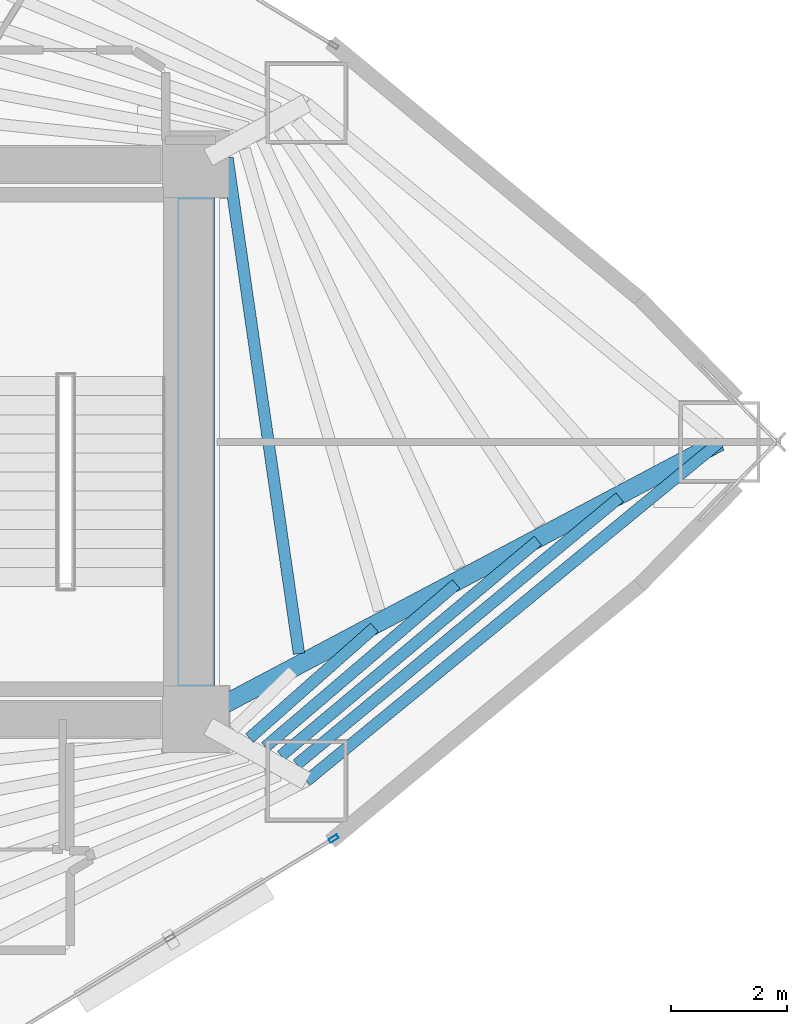
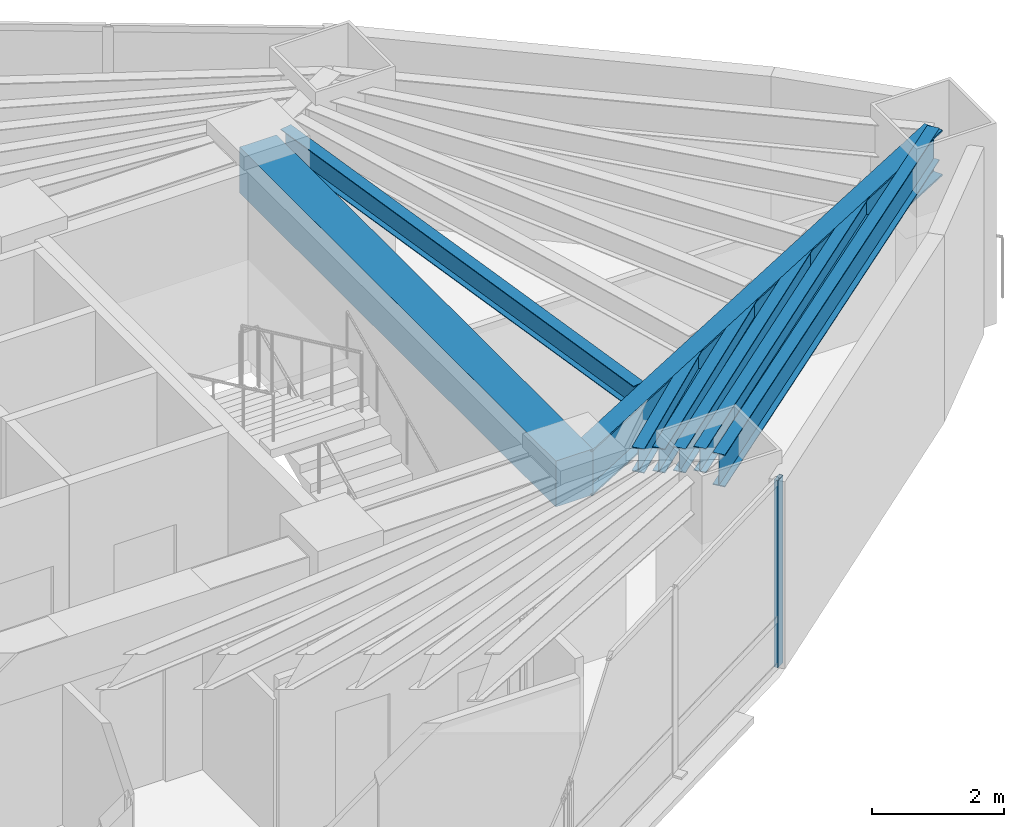
# One storey, part 6 of 18: 8 beams, 1 member, 1 element without a shape of its own.
"""IFC4 building model written with IfcOpenShell, lengths in metres."""

from ifc_helpers import new_model, si_unit, direction, frame, origin, origin_2d, place, context, subcontext, project, spatial, rectangle, hollow_rectangle, i_section, extrude, material, layer, layer_set, material_profile, profile_set, type_object, element, aggregate, save


model = new_model("IFC4")

# Units and contexts
model_context = context("Model", 3, precision=1e-05, world=origin(), true_north=direction((0.0, 1.0)))
body_context = subcontext(model_context, "Body", "Model", "MODEL_VIEW")
ifc_project = project(units=[si_unit("LENGTHUNIT", "METRE"), si_unit("AREAUNIT", "SQUARE_METRE"), si_unit("VOLUMEUNIT", "CUBIC_METRE"), si_unit("PLANEANGLEUNIT", "RADIAN"), si_unit("MASSUNIT", "GRAM", prefix="KILO")], contexts=[model_context])

# Site, building, storey
site_placement = place(None, origin())
site = spatial("IfcSite", under=ifc_project, at=site_placement, CompositionType="ELEMENT")
building_placement = place(site_placement, origin())
building = spatial("IfcBuilding", under=site, at=building_placement, Name="Menara Vayukalpa", CompositionType="ELEMENT")
storey_placement = place(building_placement, frame((0.0, 0.0, 31.320068359375)))
storey = spatial("IfcBuildingStorey", under=building, at=storey_placement, Name="L06", CompositionType="ELEMENT", Elevation=31.320068359375)

# Beams
ifc_material_1 = material(Name="Concrete C60/75", Category="concrete")
ifc_material_profile_1 = material_profile(ifc_material_1, rectangle(XDim=0.64990234375, YDim=0.85009765625, at=origin_2d()), Name="RC 650x850")
ifc_profile_set_1 = profile_set([ifc_material_profile_1], Name="Concrete C60/75")
beam_type_1 = type_object("IfcBeamType", Name="BM-CB1", PredefinedType="BEAM", material=ifc_profile_set_1)
beam_1_placement = place(storey_placement, frame((33.39990234375, 17.199951171875, 3.044921875), z_axis=(0.0, 1.0, 0.0), x_axis=(-1.0, 0.0, 0.0)))
element("IfcBeam", 1, at=beam_1_placement, inside=storey, type_object=beam_type_1, Name="L06 Core Tie Beam CBR8", PredefinedType="BEAM", context=body_context, shape_type="SweptSolid", body=[
    extrude(rectangle(XDim=0.64990234375, YDim=0.85009765625, at=origin_2d()), origin(), (0.0, 0.0, 1.0), 9.60009765625),
])
ifc_material_2 = material(Name="Steel S355", Category="steel")
ifc_material_profile_2 = material_profile(ifc_material_2, i_section(OverallWidth=0.320068359375, OverallDepth=0.85009765625, WebThickness=0.01611328125, FlangeThickness=0.030029296875, at=origin_2d()), Name="WF 850x320x16x30")
ifc_profile_set_2 = profile_set([ifc_material_profile_2], Name="Steel S355")
beam_type_2 = type_object("IfcBeamType", Name="BM-PG2", PredefinedType="BEAM", material=ifc_profile_set_2)
beam_2_placement = place(storey_placement, frame((33.620849609375, 17.31689453125, 3.044921875), z_axis=(0.883746967157, 0.467965060704, 0.0), x_axis=(-0.467965060704, 0.883746967157, 0.0)))
element("IfcBeam", 2, at=beam_2_placement, inside=storey, type_object=beam_type_2, Name="L06 Primary Radial Girder RG01", PredefinedType="BEAM", context=body_context, shape_type="SweptSolid", body=[
    extrude(i_section(OverallWidth=0.320068359375, OverallDepth=0.85009765625, WebThickness=0.01611328125, FlangeThickness=0.030029296875, at=origin_2d()), origin(), (0.0, 0.0, 1.0), 10.00732421875),
])
ifc_material_3 = material(Name="Steel S355", Category="steel")
ifc_material_profile_3 = material_profile(ifc_material_3, i_section(OverallWidth=0.199951171875, OverallDepth=0.449951171875, WebThickness=0.009033203125, FlangeThickness=0.013916015625, at=origin_2d()), Name="WF 450x200x9x14")
ifc_profile_set_3 = profile_set([ifc_material_profile_3], Name="Steel S355")
beam_type_3 = type_object("IfcBeamType", Name="BM-SJ1", PredefinedType="JOIST", material=ifc_profile_set_3)
beam_3_placement = place(storey_placement, frame((35.18701171875, 18.338134765625, 3.244873046875), z_axis=(-0.142766602183, 0.989756382804, 0.0), x_axis=(-0.989756382804, -0.142766602183, 0.0)))
element("IfcBeam", 3, at=beam_3_placement, inside=storey, type_object=beam_type_3, Name="L06 Secondary Floor Joist SJ01-1", PredefinedType="JOIST", context=body_context, shape_type="SweptSolid", body=[
    extrude(i_section(OverallWidth=0.199951171875, OverallDepth=0.449951171875, WebThickness=0.009033203125, FlangeThickness=0.013916015625, at=origin_2d()), origin(), (0.0, 0.0, 1.0), 8.6630859375),
])
beam_4_placement = place(storey_placement, frame((34.331298828125, 16.877685546875, 3.244873046875), z_axis=(0.748970728252, 0.662603084978, 0.0), x_axis=(-0.662603084978, 0.748970728252, 0.0)))
element("IfcBeam", 4, at=beam_4_placement, inside=storey, type_object=beam_type_3, Name="L06 Secondary Floor Joist SJ09-2", PredefinedType="JOIST", context=body_context, shape_type="SweptSolid", body=[
    extrude(i_section(OverallWidth=0.199951171875, OverallDepth=0.449951171875, WebThickness=0.009033203125, FlangeThickness=0.013916015625, at=origin_2d()), origin(), (0.0, 0.0, 1.0), 2.88623046875),
])
beam_5_placement = place(storey_placement, frame((34.605224609375, 16.724609375, 3.244873046875), z_axis=(0.760660716004, 0.649149655418, 0.0), x_axis=(-0.649149655418, 0.760660716004, 0.0)))
element("IfcBeam", 5, at=beam_5_placement, inside=storey, type_object=beam_type_3, Name="L06 Secondary Floor Joist SJ09-3", PredefinedType="JOIST", context=body_context, shape_type="SweptSolid", body=[
    extrude(i_section(OverallWidth=0.199951171875, OverallDepth=0.449951171875, WebThickness=0.009033203125, FlangeThickness=0.013916015625, at=origin_2d()), origin(), (0.0, 0.0, 1.0), 4.33935546875),
])
beam_6_placement = place(storey_placement, frame((34.878173828125, 16.572509765625, 3.244873046875), z_axis=(0.766661190174, 0.642051882235, 0.0), x_axis=(-0.642051882235, 0.766661190174, 0.0)))
element("IfcBeam", 6, at=beam_6_placement, inside=storey, type_object=beam_type_3, Name="L06 Secondary Floor Joist SJ09-4", PredefinedType="JOIST", context=body_context, shape_type="SweptSolid", body=[
    extrude(i_section(OverallWidth=0.199951171875, OverallDepth=0.449951171875, WebThickness=0.009033203125, FlangeThickness=0.013916015625, at=origin_2d()), origin(), (0.0, 0.0, 1.0), 5.79345703125),
])
beam_7_placement = place(storey_placement, frame((35.15087890625, 16.421142578125, 3.244873046875), z_axis=(0.770362369683, 0.637606320056, 0.0), x_axis=(-0.637606320056, 0.770362369683, 0.0)))
element("IfcBeam", 7, at=beam_7_placement, inside=storey, type_object=beam_type_3, Name="L06 Secondary Floor Joist SJ09-5", PredefinedType="JOIST", context=body_context, shape_type="SweptSolid", body=[
    extrude(i_section(OverallWidth=0.199951171875, OverallDepth=0.449951171875, WebThickness=0.009033203125, FlangeThickness=0.013916015625, at=origin_2d()), origin(), (0.0, 0.0, 1.0), 7.24755859375),
])
ifc_material_4 = material(Name="Steel S355", Category="steel")
ifc_material_profile_4 = material_profile(ifc_material_4, i_section(OverallWidth=0.199951171875, OverallDepth=0.60009765625, WebThickness=0.010986328125, FlangeThickness=0.01708984375, at=origin_2d()), Name="WF 600x200x11x17")
ifc_profile_set_4 = profile_set([ifc_material_profile_4], Name="Steel S355")
beam_type_4 = type_object("IfcBeamType", Name="BM-SP1", PredefinedType="SPANDREL", material=ifc_profile_set_4)
beam_8_placement = place(storey_placement, frame((35.318115234375, 16.13671875, 3.169921875), z_axis=(0.773110561587, 0.63427128231, 0.0), x_axis=(-0.63427128231, 0.773110561587, 0.0)))
element("IfcBeam", 8, at=beam_8_placement, inside=storey, type_object=beam_type_4, Name="L06 Perimeter Spandrel Beam SP09", PredefinedType="SPANDREL", context=body_context, shape_type="SweptSolid", body=[
    extrude(i_section(OverallWidth=0.199951171875, OverallDepth=0.60009765625, WebThickness=0.010986328125, FlangeThickness=0.01708984375, at=origin_2d()), origin(), (0.0, 0.0, 1.0), 9.244140625),
])

# Curtain wall, member
ifc_material_5 = material(Name="Anodised Terracotta Aluminium Alloy 6063-T6", Category="masonry")
ifc_layer = layer(ifc_material_5, 0.1650390625)
ifc_layer_set = layer_set([ifc_layer], Name="Anodised Terracotta Aluminium Alloy 6063-T6")
curtain_wall_type = type_object("IfcCurtainWallType", Name="CW-CW2", PredefinedType="USERDEFINED", material=ifc_layer_set)
curtain_wall_placement = place(storey_placement, origin())
curtain_wall = element("IfcCurtainWall", 9, at=curtain_wall_placement, inside=storey, type_object=curtain_wall_type, Name="L06 Low Rise Terracotta Ribbon Curtain Wall CW2 17", ObjectType="UNITISED", PredefinedType="USERDEFINED")
ifc_material_6 = material(Name="Anodised Terracotta Aluminium Alloy 6063-T6", Category="masonry")
ifc_material_profile_5 = material_profile(ifc_material_6, hollow_rectangle(XDim=0.070068359375, YDim=0.1650390625, WallThickness=0.00390625, at=origin_2d()), Name="ALU 70x165x4")
ifc_profile_set_5 = profile_set([ifc_material_profile_5], Name="Anodised Terracotta Aluminium Alloy 6063-T6")
member_type = type_object("IfcMemberType", Name="CWM-CW2", PredefinedType="MULLION", material=ifc_profile_set_5)
member_placement = place(storey_placement, frame((35.787353515625, 15.138427734375, 0.0), z_axis=(0.0, 0.0, 1.0), x_axis=(-0.519181964377, 0.854663727945, 0.0)))
member = element("IfcMember", 10, at=member_placement, type_object=member_type, Name="CW2 mullion 3", PredefinedType="MULLION", context=body_context, shape_type="SweptSolid", body=[
    extrude(hollow_rectangle(XDim=0.070068359375, YDim=0.1650390625, WallThickness=0.00390625, at=origin_2d()), origin(), (0.0, 0.0, 1.0), 3.469970703125),
])
aggregate(curtain_wall, [member])

save(model, "model.ifc")
